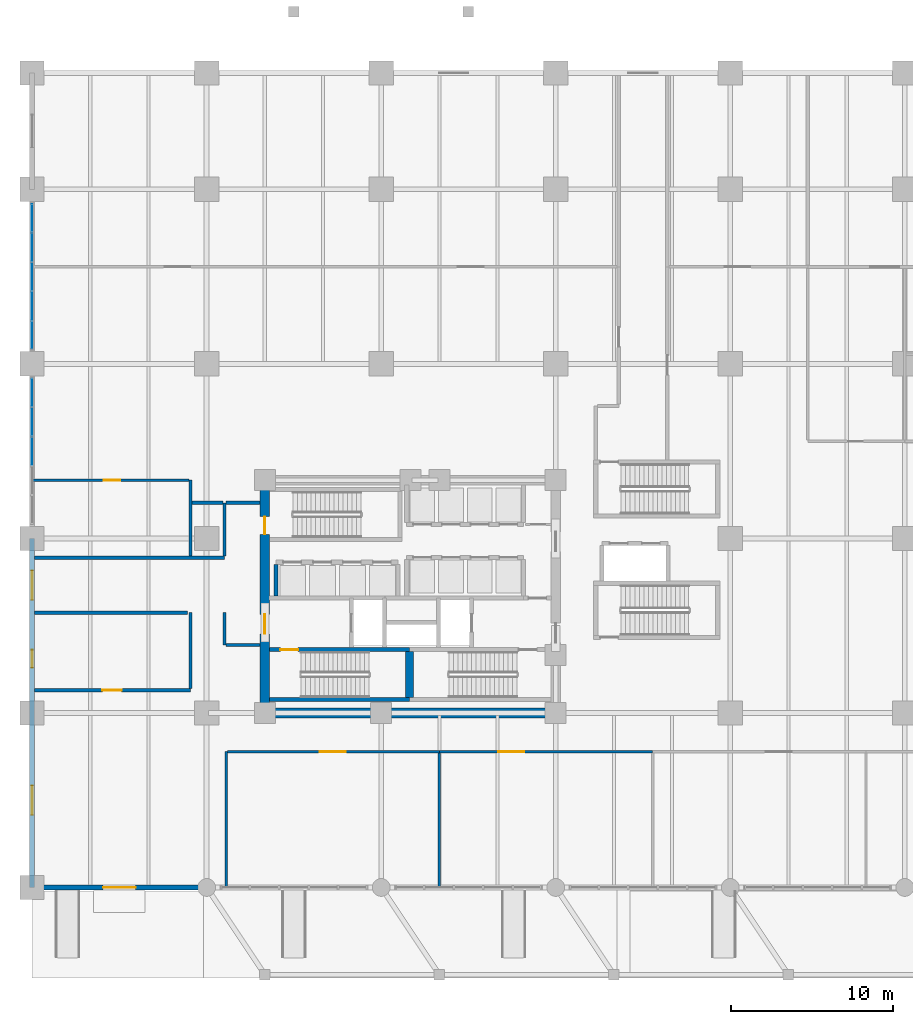
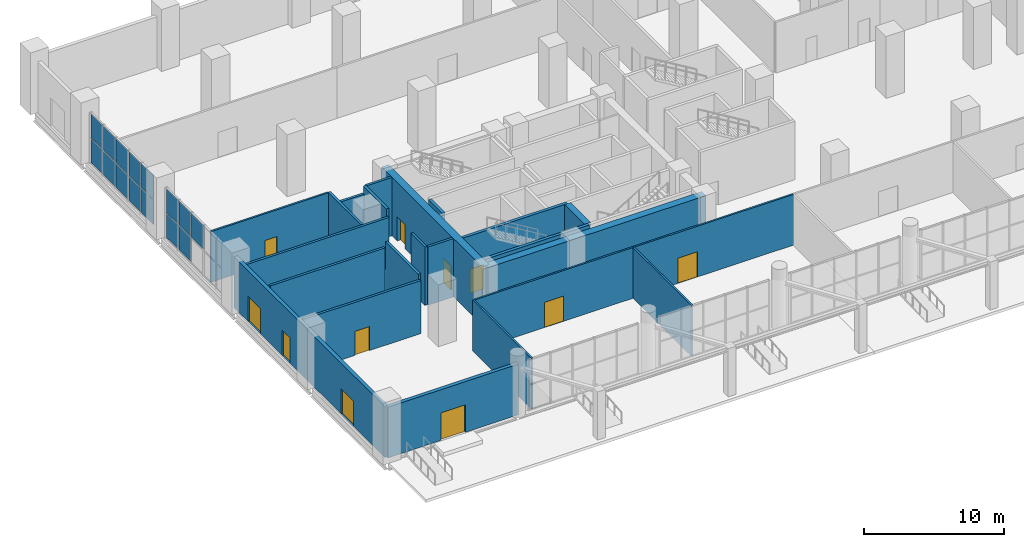
# One storey, part 13 of 22: 23 walls, 15 plates, 11 doors, 11 openings, 2 elements without a shape of their own.
"""IFC4 building model written with IfcOpenShell, lengths in metres."""

from ifc_helpers import new_model, si_unit, direction, frame, frame_2d, origin, origin_2d, place, context, subcontext, project, spatial, rectangle, extrude, material, layer, layer_set, type_object, element, fill, aggregate, save


model = new_model("IFC4")

# Units and contexts
model_context = context("Model", 3, precision=1e-05, world=origin(), true_north=direction((0.0, 1.0)))
body_context = subcontext(model_context, "Body", "Model", "MODEL_VIEW")
ifc_project = project(units=[si_unit("LENGTHUNIT", "METRE"), si_unit("AREAUNIT", "SQUARE_METRE"), si_unit("VOLUMEUNIT", "CUBIC_METRE"), si_unit("PLANEANGLEUNIT", "RADIAN"), si_unit("MASSUNIT", "GRAM", prefix="KILO")], contexts=[model_context])

# Site, building, storey
site_placement = place(None, origin())
site = spatial("IfcSite", under=ifc_project, at=site_placement, CompositionType="ELEMENT")
building_placement = place(site_placement, origin())
building = spatial("IfcBuilding", under=site, at=building_placement, Name="Solnavia Interchange Tower", CompositionType="ELEMENT")
storey_placement = place(building_placement, origin())
storey = spatial("IfcBuildingStorey", under=building, at=storey_placement, Name="L00", CompositionType="ELEMENT", Elevation=0.0)

# Curtain wall, plates
ifc_material_1 = material(Name="Aluminium Alloy 6063-T6", Category="aluminium")
ifc_layer_1 = layer(ifc_material_1, 0.27001953125)
ifc_layer_set_1 = layer_set([ifc_layer_1], Name="Aluminium Alloy 6063-T6")
curtain_wall_type = type_object("IfcCurtainWallType", Name="CurtainWall-Podium-CTW1", PredefinedType="NOTDEFINED", material=ifc_layer_set_1)
curtain_wall_1_placement = place(storey_placement, origin())
curtain_wall_1 = element("IfcCurtainWall", 1, at=curtain_wall_1_placement, inside=storey, type_object=curtain_wall_type, Name="CTW-L00-W21 CTW-1 curtain wall", PredefinedType="NOTDEFINED")
ifc_material_2 = material(Name="Double-Glazed Low-E IGU Glass", Category="glass")
ifc_layer_2 = layer(ifc_material_2, 0.028076171875)
ifc_layer_set_2 = layer_set([ifc_layer_2], Name="Double-Glazed Low-E IGU Glass")
plate_type = type_object("IfcPlateType", Name="CW-Panel-Glazed-28", PredefinedType="CURTAIN_PANEL", material=ifc_layer_set_2)
plate_1_placement = place(storey_placement, frame((0.0, 27.0, 2.25), z_axis=(0.0, 0.0, 1.0), x_axis=(0.0, 1.0, 0.0)))
plate_1 = element("IfcPlate", 2, at=plate_1_placement, type_object=plate_type, Name="CTW-1 panel 3.2", PredefinedType="CURTAIN_PANEL", context=body_context, shape_type="SweptSolid", body=[
    extrude(rectangle(XDim=1.743896484375, YDim=0.028076171875, at=origin_2d()), origin(), (0.0, 0.0, 1.0), 2.110107421875),
])
plate_2_placement = place(storey_placement, frame((0.0, 28.823974609375, 0.06982421875), z_axis=(0.0, 0.0, 1.0), x_axis=(0.0, 1.0, 0.0)))
plate_2 = element("IfcPlate", 3, at=plate_2_placement, type_object=plate_type, Name="CTW-1 panel 4.1", PredefinedType="CURTAIN_PANEL", context=body_context, shape_type="SweptSolid", body=[
    extrude(rectangle(XDim=1.743896484375, YDim=0.028076171875, at=origin_2d()), origin(), (0.0, 0.0, 1.0), 2.110107421875),
])
plate_3_placement = place(storey_placement, frame((0.0, 28.823974609375, 2.25), z_axis=(0.0, 0.0, 1.0), x_axis=(0.0, 1.0, 0.0)))
plate_3 = element("IfcPlate", 4, at=plate_3_placement, type_object=plate_type, Name="CTW-1 panel 4.2", PredefinedType="CURTAIN_PANEL", context=body_context, shape_type="SweptSolid", body=[
    extrude(rectangle(XDim=1.743896484375, YDim=0.028076171875, at=origin_2d()), origin(), (0.0, 0.0, 1.0), 2.110107421875),
])
plate_4_placement = place(storey_placement, frame((0.0, 30.6279296875, 0.06982421875), z_axis=(0.0, 0.0, 1.0), x_axis=(0.0, 1.0, 0.0)))
plate_4 = element("IfcPlate", 5, at=plate_4_placement, type_object=plate_type, Name="CTW-1 panel 5.1", PredefinedType="CURTAIN_PANEL", context=body_context, shape_type="SweptSolid", body=[
    extrude(rectangle(XDim=1.7041015625, YDim=0.028076171875, at=origin_2d()), origin(), (0.0, 0.0, 1.0), 2.110107421875),
])
plate_5_placement = place(storey_placement, frame((0.0, 30.6279296875, 2.25), z_axis=(0.0, 0.0, 1.0), x_axis=(0.0, 1.0, 0.0)))
plate_5 = element("IfcPlate", 6, at=plate_5_placement, type_object=plate_type, Name="CTW-1 panel 5.2", PredefinedType="CURTAIN_PANEL", context=body_context, shape_type="SweptSolid", body=[
    extrude(rectangle(XDim=1.7041015625, YDim=0.028076171875, at=origin_2d()), origin(), (0.0, 0.0, 1.0), 2.110107421875),
])
aggregate(curtain_wall_1, [plate_1, plate_2, plate_3, plate_4, plate_5])

curtain_wall_2_placement = place(storey_placement, origin())
curtain_wall_2 = element("IfcCurtainWall", 7, at=curtain_wall_2_placement, inside=storey, type_object=curtain_wall_type, Name="CTW-L00-W32 CTW-1 curtain wall", PredefinedType="NOTDEFINED")
plate_6_placement = place(storey_placement, frame((0.0, 34.172119140625, 0.06982421875), z_axis=(0.0, 0.0, 1.0), x_axis=(0.0, 1.0, 0.0)))
plate_6 = element("IfcPlate", 8, at=plate_6_placement, type_object=plate_type, Name="CTW-1 panel 1.1", PredefinedType="CURTAIN_PANEL", context=body_context, shape_type="SweptSolid", body=[
    extrude(rectangle(XDim=1.7041015625, YDim=0.028076171875, at=origin_2d()), origin(), (0.0, 0.0, 1.0), 2.110107421875),
])
plate_7_placement = place(storey_placement, frame((0.0, 34.172119140625, 2.25), z_axis=(0.0, 0.0, 1.0), x_axis=(0.0, 1.0, 0.0)))
plate_7 = element("IfcPlate", 9, at=plate_7_placement, type_object=plate_type, Name="CTW-1 panel 1.2", PredefinedType="CURTAIN_PANEL", context=body_context, shape_type="SweptSolid", body=[
    extrude(rectangle(XDim=1.7041015625, YDim=0.028076171875, at=origin_2d()), origin(), (0.0, 0.0, 1.0), 2.110107421875),
])
plate_8_placement = place(storey_placement, frame((0.0, 35.97607421875, 0.06982421875), z_axis=(0.0, 0.0, 1.0), x_axis=(0.0, 1.0, 0.0)))
plate_8 = element("IfcPlate", 10, at=plate_8_placement, type_object=plate_type, Name="CTW-1 panel 2.1", PredefinedType="CURTAIN_PANEL", context=body_context, shape_type="SweptSolid", body=[
    extrude(rectangle(XDim=1.743896484375, YDim=0.028076171875, at=origin_2d()), origin(), (0.0, 0.0, 1.0), 2.110107421875),
])
plate_9_placement = place(storey_placement, frame((0.0, 35.97607421875, 2.25), z_axis=(0.0, 0.0, 1.0), x_axis=(0.0, 1.0, 0.0)))
plate_9 = element("IfcPlate", 11, at=plate_9_placement, type_object=plate_type, Name="CTW-1 panel 2.2", PredefinedType="CURTAIN_PANEL", context=body_context, shape_type="SweptSolid", body=[
    extrude(rectangle(XDim=1.743896484375, YDim=0.028076171875, at=origin_2d()), origin(), (0.0, 0.0, 1.0), 2.110107421875),
])
plate_10_placement = place(storey_placement, frame((0.0, 37.800048828125, 0.06982421875), z_axis=(0.0, 0.0, 1.0), x_axis=(0.0, 1.0, 0.0)))
plate_10 = element("IfcPlate", 12, at=plate_10_placement, type_object=plate_type, Name="CTW-1 panel 3.1", PredefinedType="CURTAIN_PANEL", context=body_context, shape_type="SweptSolid", body=[
    extrude(rectangle(XDim=1.743896484375, YDim=0.028076171875, at=origin_2d()), origin(), (0.0, 0.0, 1.0), 2.110107421875),
])
plate_11_placement = place(storey_placement, frame((0.0, 37.800048828125, 2.25), z_axis=(0.0, 0.0, 1.0), x_axis=(0.0, 1.0, 0.0)))
plate_11 = element("IfcPlate", 13, at=plate_11_placement, type_object=plate_type, Name="CTW-1 panel 3.2", PredefinedType="CURTAIN_PANEL", context=body_context, shape_type="SweptSolid", body=[
    extrude(rectangle(XDim=1.743896484375, YDim=0.028076171875, at=origin_2d()), origin(), (0.0, 0.0, 1.0), 2.110107421875),
])
plate_12_placement = place(storey_placement, frame((0.0, 39.6240234375, 0.06982421875), z_axis=(0.0, 0.0, 1.0), x_axis=(0.0, 1.0, 0.0)))
plate_12 = element("IfcPlate", 14, at=plate_12_placement, type_object=plate_type, Name="CTW-1 panel 4.1", PredefinedType="CURTAIN_PANEL", context=body_context, shape_type="SweptSolid", body=[
    extrude(rectangle(XDim=1.743896484375, YDim=0.028076171875, at=origin_2d()), origin(), (0.0, 0.0, 1.0), 2.110107421875),
])
plate_13_placement = place(storey_placement, frame((0.0, 39.6240234375, 2.25), z_axis=(0.0, 0.0, 1.0), x_axis=(0.0, 1.0, 0.0)))
plate_13 = element("IfcPlate", 15, at=plate_13_placement, type_object=plate_type, Name="CTW-1 panel 4.2", PredefinedType="CURTAIN_PANEL", context=body_context, shape_type="SweptSolid", body=[
    extrude(rectangle(XDim=1.743896484375, YDim=0.028076171875, at=origin_2d()), origin(), (0.0, 0.0, 1.0), 2.110107421875),
])
plate_14_placement = place(storey_placement, frame((0.0, 41.427978515625, 0.06982421875), z_axis=(0.0, 0.0, 1.0), x_axis=(0.0, 1.0, 0.0)))
plate_14 = element("IfcPlate", 16, at=plate_14_placement, type_object=plate_type, Name="CTW-1 panel 5.1", PredefinedType="CURTAIN_PANEL", context=body_context, shape_type="SweptSolid", body=[
    extrude(rectangle(XDim=1.7041015625, YDim=0.028076171875, at=origin_2d()), origin(), (0.0, 0.0, 1.0), 2.110107421875),
])
plate_15_placement = place(storey_placement, frame((0.0, 41.427978515625, 2.25), z_axis=(0.0, 0.0, 1.0), x_axis=(0.0, 1.0, 0.0)))
plate_15 = element("IfcPlate", 17, at=plate_15_placement, type_object=plate_type, Name="CTW-1 panel 5.2", PredefinedType="CURTAIN_PANEL", context=body_context, shape_type="SweptSolid", body=[
    extrude(rectangle(XDim=1.7041015625, YDim=0.028076171875, at=origin_2d()), origin(), (0.0, 0.0, 1.0), 2.110107421875),
])
aggregate(curtain_wall_2, [plate_6, plate_7, plate_8, plate_9, plate_10, plate_11, plate_12, plate_13, plate_14, plate_15])

# Wall, opening, door
ifc_material_3 = material(Name="Concrete C40/50", Category="concrete")
ifc_layer_3 = layer(ifc_material_3, 0.300048828125)
ifc_layer_set_3 = layer_set([ifc_layer_3], Name="Concrete C40/50")
wall_type_1 = type_object("IfcWallType", Name="Wall-ExtSpandrel-300", PredefinedType="STANDARD", material=ifc_layer_set_3)
wall_1_placement = place(storey_placement, frame((10.800048828125, 0.0, 0.0), z_axis=(0.0, 0.0, 1.0), x_axis=(-1.0, 0.0, 0.0)))
wall_1 = element("IfcWall", 18, at=wall_1_placement, inside=storey, type_object=wall_type_1, Name="EXW-L00-SW South-west entrance wall", PredefinedType="STANDARD", context=body_context, shape_type="SweptSolid", body=[
    extrude(rectangle(XDim=10.800048828125, YDim=0.300048828125, at=frame_2d((5.39990234375, 0.0))), origin(), (0.0, 0.0, 1.0), 4.429931640625),
])
opening_1_placement = place(wall_1_placement, frame((4.39990234375, 0.0, 0.0)))
opening_1 = element("IfcOpeningElement", 19, at=opening_1_placement, cuts=wall_1, Name="Opening EXD-01", PredefinedType="OPENING", context=body_context, shape_type="SweptSolid", body=[
    extrude(rectangle(XDim=2.0, YDim=2.39990234375, at=frame_2d((1.0, 1.199951171875))), frame((0.0, 0.16015625, 0.0), z_axis=(0.0, -1.0, 0.0), x_axis=(1.0, 0.0, 0.0)), (0.0, 0.0, 1.0), 0.320068359375),
])
ifc_material_4 = material(Name="Thermally Broken Aluminium & Laminated Glass", Category="aluminium")
door_type_1 = type_object("IfcDoorType", Name="Door-Entrance-2000x2400", OperationType="DOUBLE_DOOR_SINGLE_SWING", PredefinedType="DOOR", material=ifc_material_4)
door_1_placement = place(opening_1_placement, origin())
door_1 = element("IfcDoor", 20, at=door_1_placement, inside=storey, type_object=door_type_1, Name="EXD-L00-MAIN Grand waterfront entrance door", OperationType="SINGLE_SWING_LEFT", OverallHeight=2.39990234375, OverallWidth=2.0, PredefinedType="DOOR", context=body_context, shape_type="SweptSolid", body=[
    extrude(rectangle(XDim=2.0, YDim=2.39990234375, at=frame_2d((1.0, 1.199951171875))), frame((0.0, 0.02490234375, 0.0), z_axis=(0.0, -1.0, 0.0), x_axis=(1.0, 0.0, 0.0)), (0.0, 0.0, 1.0), 0.050048828125),
])
fill(opening_1, door_1)

# Wall, openings, doors
wall_2_placement = place(storey_placement, frame((0.0, 0.0, 0.0), z_axis=(0.0, 0.0, 1.0), x_axis=(0.0, 1.0, 0.0)))
wall_2 = element("IfcWall", 21, at=wall_2_placement, inside=storey, type_object=wall_type_1, Name="EXW-L00-WS West arrival wall", PredefinedType="STANDARD", context=body_context, shape_type="SweptSolid", body=[
    extrude(rectangle(XDim=21.60009765625, YDim=0.300048828125, at=frame_2d((10.800048828125, 0.0))), origin(), (0.0, 0.0, 1.0), 4.429931640625),
])
opening_2_placement = place(wall_2_placement, frame((4.5, 0.0, 0.0)))
opening_2 = element("IfcOpeningElement", 22, at=opening_2_placement, cuts=wall_2, Name="Opening EXD-02", PredefinedType="OPENING", context=body_context, shape_type="SweptSolid", body=[
    extrude(rectangle(XDim=1.800048828125, YDim=2.199951171875, at=frame_2d((0.89990234375, 1.10009765625))), frame((0.0, 0.16015625, 0.0), z_axis=(0.0, -1.0, 0.0), x_axis=(1.0, 0.0, 0.0)), (0.0, 0.0, 1.0), 0.320068359375),
])
opening_3_placement = place(wall_2_placement, frame((13.60009765625, 0.0, 0.0)))
opening_3 = element("IfcOpeningElement", 23, at=opening_3_placement, cuts=wall_2, Name="Opening EXD-03", PredefinedType="OPENING", context=body_context, shape_type="SweptSolid", body=[
    extrude(rectangle(XDim=1.10009765625, YDim=2.199951171875, at=frame_2d((0.550048828125, 1.10009765625))), frame((0.0, 0.16015625, 0.0), z_axis=(0.0, -1.0, 0.0), x_axis=(1.0, 0.0, 0.0)), (0.0, 0.0, 1.0), 0.320068359375),
])
opening_4_placement = place(wall_2_placement, frame((17.800048828125, 0.0, 0.0)))
opening_4 = element("IfcOpeningElement", 24, at=opening_4_placement, cuts=wall_2, Name="Opening EXD-02", PredefinedType="OPENING", context=body_context, shape_type="SweptSolid", body=[
    extrude(rectangle(XDim=1.800048828125, YDim=2.199951171875, at=frame_2d((0.89990234375, 1.10009765625))), frame((0.0, 0.16015625, 0.0), z_axis=(0.0, -1.0, 0.0), x_axis=(1.0, 0.0, 0.0)), (0.0, 0.0, 1.0), 0.320068359375),
])
door_type_2 = type_object("IfcDoorType", Name="Door-ExitDischarge-1800x2200", OperationType="DOUBLE_DOOR_SINGLE_SWING", PredefinedType="DOOR", material=ifc_material_4)
door_2_placement = place(opening_2_placement, origin())
door_2 = element("IfcDoor", 25, at=door_2_placement, inside=storey, type_object=door_type_2, Name="EXD-L00-CONCW West concourse exit discharge door", OperationType="SINGLE_SWING_LEFT", OverallHeight=2.199951171875, OverallWidth=1.800048828125, PredefinedType="DOOR", context=body_context, shape_type="SweptSolid", body=[
    extrude(rectangle(XDim=1.800048828125, YDim=2.199951171875, at=frame_2d((0.89990234375, 1.10009765625))), frame((0.0, 0.02490234375, 0.0), z_axis=(0.0, -1.0, 0.0), x_axis=(1.0, 0.0, 0.0)), (0.0, 0.0, 1.0), 0.050048828125),
])
fill(opening_2, door_2)
door_3_placement = place(opening_4_placement, origin())
door_3 = element("IfcDoor", 26, at=door_3_placement, inside=storey, type_object=door_type_2, Name="EXD-L00-EXITW West protected stair exit discharge door", OperationType="SINGLE_SWING_LEFT", OverallHeight=2.199951171875, OverallWidth=1.800048828125, PredefinedType="DOOR", context=body_context, shape_type="SweptSolid", body=[
    extrude(rectangle(XDim=1.800048828125, YDim=2.199951171875, at=frame_2d((0.89990234375, 1.10009765625))), frame((0.0, 0.02490234375, 0.0), z_axis=(0.0, -1.0, 0.0), x_axis=(1.0, 0.0, 0.0)), (0.0, 0.0, 1.0), 0.050048828125),
])
fill(opening_4, door_3)
door_type_3 = type_object("IfcDoorType", Name="Door-ExitSingle-1100x2200", OperationType="SINGLE_SWING_LEFT", PredefinedType="DOOR", material=ifc_material_4)
door_4_placement = place(opening_3_placement, origin())
door_4 = element("IfcDoor", 27, at=door_4_placement, inside=storey, type_object=door_type_3, Name="EXD-L00-FCC Fire command direct street access door", OperationType="SINGLE_SWING_LEFT", OverallHeight=2.199951171875, OverallWidth=1.10009765625, PredefinedType="DOOR", context=body_context, shape_type="SweptSolid", body=[
    extrude(rectangle(XDim=1.10009765625, YDim=2.199951171875, at=frame_2d((0.550048828125, 1.10009765625))), frame((0.0, 0.02490234375, 0.0), z_axis=(0.0, -1.0, 0.0), x_axis=(1.0, 0.0, 0.0)), (0.0, 0.0, 1.0), 0.050048828125),
])
fill(opening_3, door_4)

# Wall
ifc_material_5 = material(Name="Gypsum Plasterboard & Steel Stud", Category="steel")
ifc_layer_4 = layer(ifc_material_5, 0.14990234375)
ifc_layer_set_4 = layer_set([ifc_layer_4], Name="Gypsum Plasterboard & Steel Stud")
wall_type_2 = type_object("IfcWallType", Name="Wall-Partition-150", PredefinedType="PARTITIONING", material=ifc_layer_set_4)
wall_3_placement = place(storey_placement, frame((12.0, 0.0, 0.0), z_axis=(0.0, 0.0, 1.0), x_axis=(0.0, 1.0, 0.0)))
element("IfcWall", 28, at=wall_3_placement, inside=storey, type_object=wall_type_2, Name="PTW-L00-01 Interior partition wall", PredefinedType="PARTITIONING", context=body_context, shape_type="SweptSolid", body=[
    extrude(rectangle(XDim=8.39990234375, YDim=0.14990234375, at=frame_2d((4.199951171875, 0.0))), origin(), (0.0, 0.0, 1.0), 4.429931640625),
])

# Wall, opening, door
wall_4_placement = place(storey_placement, frame((12.0791015625, 8.39990234375, 0.0), z_axis=(0.0, 0.0, 1.0), x_axis=(1.0, 0.0, 0.0)))
wall_4 = element("IfcWall", 29, at=wall_4_placement, inside=storey, type_object=wall_type_2, Name="PTW-L00-02 Interior partition wall", PredefinedType="PARTITIONING", context=body_context, shape_type="SweptSolid", body=[
    extrude(rectangle(XDim=13.120849609375, YDim=0.14990234375, at=frame_2d((6.560546875, 0.0))), origin(), (0.0, 0.0, 1.0), 4.429931640625),
])
opening_5_placement = place(wall_4_placement, frame((5.720947265625, 0.0, 0.0)))
opening_5 = element("IfcOpeningElement", 30, at=opening_5_placement, cuts=wall_4, Name="Opening DR-08", PredefinedType="OPENING", context=body_context, shape_type="SweptSolid", body=[
    extrude(rectangle(XDim=1.60009765625, YDim=2.199951171875, at=frame_2d((0.800048828125, 1.10009765625))), frame((0.0, 0.0849609375, 0.0), z_axis=(0.0, -1.0, 0.0), x_axis=(1.0, 0.0, 0.0)), (0.0, 0.0, 1.0), 0.169921875),
])
ifc_material_6 = material(Name="Thermally Broken Aluminium & Toughened Glass", Category="aluminium")
door_type_4 = type_object("IfcDoorType", Name="Door-RetailDouble-1600x2200", OperationType="DOUBLE_DOOR_SINGLE_SWING", PredefinedType="DOOR", material=ifc_material_6)
door_5_placement = place(opening_5_placement, origin())
door_5 = element("IfcDoor", 31, at=door_5_placement, inside=storey, type_object=door_type_4, Name="DR-L00-01 Interior room door", OperationType="DOUBLE_DOOR_SINGLE_SWING", OverallHeight=2.199951171875, OverallWidth=1.60009765625, PredefinedType="DOOR", context=body_context, shape_type="SweptSolid", body=[
    extrude(rectangle(XDim=1.60009765625, YDim=2.199951171875, at=frame_2d((0.800048828125, 1.10009765625))), frame((0.0, 0.02490234375, 0.0), z_axis=(0.0, -1.0, 0.0), x_axis=(1.0, 0.0, 0.0)), (0.0, 0.0, 1.0), 0.050048828125),
])
fill(opening_5, door_5)

# Wall
wall_5_placement = place(storey_placement, frame((25.199951171875, 0.0, 0.0), z_axis=(0.0, 0.0, 1.0), x_axis=(0.0, 1.0, 0.0)))
element("IfcWall", 32, at=wall_5_placement, inside=storey, type_object=wall_type_2, Name="PTW-L00-03 Interior partition wall", PredefinedType="PARTITIONING", context=body_context, shape_type="SweptSolid", body=[
    extrude(rectangle(XDim=8.321044921875, YDim=0.14990234375, at=frame_2d((4.16064453125, 0.0))), origin(), (0.0, 0.0, 1.0), 4.429931640625),
])

# Wall, opening, door
wall_6_placement = place(storey_placement, frame((25.199951171875, 8.39990234375, 0.0), z_axis=(0.0, 0.0, 1.0), x_axis=(1.0, 0.0, 0.0)))
wall_6 = element("IfcWall", 33, at=wall_6_placement, inside=storey, type_object=wall_type_2, Name="PTW-L00-04 Interior partition wall", PredefinedType="PARTITIONING", context=body_context, shape_type="SweptSolid", body=[
    extrude(rectangle(XDim=13.199951171875, YDim=0.14990234375, at=frame_2d((6.60009765625, 0.0))), origin(), (0.0, 0.0, 1.0), 4.429931640625),
])
opening_6_placement = place(wall_6_placement, frame((3.64794921875, 0.0, 0.0)))
opening_6 = element("IfcOpeningElement", 34, at=opening_6_placement, cuts=wall_6, Name="Opening DR-08", PredefinedType="OPENING", context=body_context, shape_type="SweptSolid", body=[
    extrude(rectangle(XDim=1.60009765625, YDim=2.199951171875, at=frame_2d((0.800048828125, 1.10009765625))), frame((0.0, 0.0849609375, 0.0), z_axis=(0.0, -1.0, 0.0), x_axis=(1.0, 0.0, 0.0)), (0.0, 0.0, 1.0), 0.169921875),
])
door_6_placement = place(opening_6_placement, origin())
door_6 = element("IfcDoor", 35, at=door_6_placement, inside=storey, type_object=door_type_4, Name="DR-L00-02 Interior room door", OperationType="DOUBLE_DOOR_SINGLE_SWING", OverallHeight=2.199951171875, OverallWidth=1.60009765625, PredefinedType="DOOR", context=body_context, shape_type="SweptSolid", body=[
    extrude(rectangle(XDim=1.60009765625, YDim=2.199951171875, at=frame_2d((0.800048828125, 1.10009765625))), frame((0.0, 0.02490234375, 0.0), z_axis=(0.0, -1.0, 0.0), x_axis=(1.0, 0.0, 0.0)), (0.0, 0.0, 1.0), 0.050048828125),
])
fill(opening_6, door_6)

wall_7_placement = place(storey_placement, frame((0.0, 25.199951171875, 0.0), z_axis=(0.0, 0.0, 1.0), x_axis=(1.0, 0.0, 0.0)))
wall_7 = element("IfcWall", 36, at=wall_7_placement, inside=storey, type_object=wall_type_2, Name="PTW-L00-21 Interior partition wall", PredefinedType="PARTITIONING", context=body_context, shape_type="SweptSolid", body=[
    extrude(rectangle(XDim=9.696044921875, YDim=0.14990234375, at=frame_2d((4.84814453125, 0.0))), origin(), (0.0, 0.0, 1.0), 4.429931640625),
])
opening_7_placement = place(wall_7_placement, frame((4.43994140625, 0.0, 0.0)))
opening_7 = element("IfcOpeningElement", 37, at=opening_7_placement, cuts=wall_7, Name="Opening DR-07", PredefinedType="OPENING", context=body_context, shape_type="SweptSolid", body=[
    extrude(rectangle(XDim=1.0, YDim=2.10009765625, at=frame_2d((0.5, 1.050048828125))), frame((0.0, 0.0849609375, 0.0), z_axis=(0.0, -1.0, 0.0), x_axis=(1.0, 0.0, 0.0)), (0.0, 0.0, 1.0), 0.169921875),
])
ifc_material_7 = material(Name="Timber & Acoustic Glazed Office Door", Category="wood")
door_type_5 = type_object("IfcDoorType", Name="Door-Office-1000x2100", OperationType="SINGLE_SWING_RIGHT", PredefinedType="DOOR", material=ifc_material_7)
door_7_placement = place(opening_7_placement, origin())
door_7 = element("IfcDoor", 38, at=door_7_placement, inside=storey, type_object=door_type_5, Name="DR-L00-07 Interior room door", OperationType="SINGLE_SWING_LEFT", OverallHeight=2.10009765625, OverallWidth=1.0, PredefinedType="DOOR", context=body_context, shape_type="SweptSolid", body=[
    extrude(rectangle(XDim=1.0, YDim=2.10009765625, at=frame_2d((0.5, 1.050048828125))), frame((0.0, 0.02490234375, 0.0), z_axis=(0.0, -1.0, 0.0), x_axis=(1.0, 0.0, 0.0)), (0.0, 0.0, 1.0), 0.050048828125),
])
fill(opening_7, door_7)

ifc_layer_5 = layer(ifc_material_3, 0.199951171875)
ifc_layer_set_5 = layer_set([ifc_layer_5], Name="Concrete C40/50")
wall_type_3 = type_object("IfcWallType", Name="Wall-PlantFire-200", PredefinedType="PARTITIONING", material=ifc_layer_set_5)
wall_8_placement = place(storey_placement, frame((0.154052734375, 12.199951171875, 0.0), z_axis=(0.0, 0.0, 1.0), x_axis=(1.0, 0.0, 0.0)))
wall_8 = element("IfcWall", 39, at=wall_8_placement, inside=storey, type_object=wall_type_3, Name="PTW-L00-11 Interior partition wall", PredefinedType="PARTITIONING", context=body_context, shape_type="SweptSolid", body=[
    extrude(rectangle(XDim=9.64599609375, YDim=0.199951171875, at=frame_2d((4.822998046875, 0.0))), origin(), (0.0, 0.0, 1.0), 4.6298828125),
])
opening_8_placement = place(wall_8_placement, frame((4.18603515625, 0.0, 0.0)))
opening_8 = element("IfcOpeningElement", 40, at=opening_8_placement, cuts=wall_8, Name="Opening DR-02", PredefinedType="OPENING", context=body_context, shape_type="SweptSolid", body=[
    extrude(rectangle(XDim=1.199951171875, YDim=2.10009765625, at=frame_2d((0.60009765625, 1.050048828125))), frame((0.0, 0.10986328125, 0.0), z_axis=(0.0, -1.0, 0.0), x_axis=(1.0, 0.0, 0.0)), (0.0, 0.0, 1.0), 0.219970703125),
])
ifc_material_8 = material(Name="Steel Fire-Rated Vision-Panel Door", Category="steel")
door_type_6 = type_object("IfcDoorType", Name="Door-LobbyFire-1200x2100", OperationType="SINGLE_SWING_RIGHT", PredefinedType="DOOR", material=ifc_material_8)
door_8_placement = place(opening_8_placement, origin())
door_8 = element("IfcDoor", 41, at=door_8_placement, inside=storey, type_object=door_type_6, Name="DR-L00-06 Interior room door", OperationType="SINGLE_SWING_RIGHT", OverallHeight=2.10009765625, OverallWidth=1.199951171875, PredefinedType="DOOR", context=body_context, shape_type="SweptSolid", body=[
    extrude(rectangle(XDim=1.199951171875, YDim=2.10009765625, at=frame_2d((0.60009765625, 1.050048828125))), frame((0.0, 0.02490234375, 0.0), z_axis=(0.0, -1.0, 0.0), x_axis=(1.0, 0.0, 0.0)), (0.0, 0.0, 1.0), 0.050048828125),
])
fill(opening_8, door_8)

# Walls
wall_9_placement = place(storey_placement, frame((9.800048828125, 12.303955078125, 0.0), z_axis=(0.0, 0.0, 1.0), x_axis=(0.0, 1.0, 0.0)))
element("IfcWall", 42, at=wall_9_placement, inside=storey, type_object=wall_type_3, Name="PTW-L00-12 Interior partition wall", PredefinedType="PARTITIONING", context=body_context, shape_type="SweptSolid", body=[
    extrude(rectangle(XDim=4.696044921875, YDim=0.199951171875, at=frame_2d((2.34814453125, 0.0))), origin(), (0.0, 0.0, 1.0), 5.0849609375),
])
wall_10_placement = place(storey_placement, frame((0.154052734375, 17.0, 0.0), z_axis=(0.0, 0.0, 1.0), x_axis=(1.0, 0.0, 0.0)))
element("IfcWall", 43, at=wall_10_placement, inside=storey, type_object=wall_type_3, Name="PTW-L00-13 Interior partition wall", PredefinedType="PARTITIONING", context=body_context, shape_type="SweptSolid", body=[
    extrude(rectangle(XDim=9.466064453125, YDim=0.199951171875, at=frame_2d((4.73291015625, 0.0))), origin(), (0.0, 0.0, 1.0), 4.6298828125),
])
wall_11_placement = place(storey_placement, frame((11.89990234375, 15.0, 0.0), z_axis=(0.0, 0.0, 1.0), x_axis=(0.0, 1.0, 0.0)))
element("IfcWall", 44, at=wall_11_placement, inside=storey, type_object=wall_type_3, Name="PTW-L00-14 Interior partition wall", PredefinedType="PARTITIONING", context=body_context, shape_type="SweptSolid", body=[
    extrude(rectangle(XDim=2.0, YDim=0.199951171875, at=frame_2d((1.0, 0.0))), origin(), (0.0, 0.0, 1.0), 5.0849609375),
])
wall_12_placement = place(storey_placement, frame((12.00390625, 15.0, 0.0), z_axis=(0.0, 0.0, 1.0), x_axis=(1.0, 0.0, 0.0)))
element("IfcWall", 45, at=wall_12_placement, inside=storey, type_object=wall_type_3, Name="PTW-L00-15 Interior partition wall", PredefinedType="PARTITIONING", context=body_context, shape_type="SweptSolid", body=[
    extrude(rectangle(XDim=2.092041015625, YDim=0.199951171875, at=frame_2d((1.0458984375, 0.0))), origin(), (0.0, 0.0, 1.0), 5.0849609375),
])
wall_13_placement = place(storey_placement, frame((0.154052734375, 20.39990234375, 0.0), z_axis=(0.0, 0.0, 1.0), x_axis=(1.0, 0.0, 0.0)))
element("IfcWall", 46, at=wall_13_placement, inside=storey, type_object=wall_type_3, Name="PTW-L00-16 Interior partition wall", PredefinedType="PARTITIONING", context=body_context, shape_type="SweptSolid", body=[
    extrude(rectangle(XDim=11.745849609375, YDim=0.199951171875, at=frame_2d((5.873046875, 0.0))), origin(), (0.0, 0.0, 1.0), 4.429931640625),
])
wall_14_placement = place(storey_placement, frame((9.800048828125, 20.50390625, 0.0), z_axis=(0.0, 0.0, 1.0), x_axis=(0.0, 1.0, 0.0)))
element("IfcWall", 47, at=wall_14_placement, inside=storey, type_object=wall_type_3, Name="PTW-L00-17 Interior partition wall", PredefinedType="PARTITIONING", context=body_context, shape_type="SweptSolid", body=[
    extrude(rectangle(XDim=4.696044921875, YDim=0.199951171875, at=frame_2d((2.34814453125, 0.0))), origin(), (0.0, 0.0, 1.0), 4.429931640625),
])
wall_15_placement = place(storey_placement, frame((11.89990234375, 20.50390625, 0.0), z_axis=(0.0, 0.0, 1.0), x_axis=(0.0, 1.0, 0.0)))
element("IfcWall", 48, at=wall_15_placement, inside=storey, type_object=wall_type_3, Name="PTW-L00-18 Interior partition wall", PredefinedType="PARTITIONING", context=body_context, shape_type="SweptSolid", body=[
    extrude(rectangle(XDim=3.296142578125, YDim=0.199951171875, at=frame_2d((1.64794921875, 0.0))), origin(), (0.0, 0.0, 1.0), 5.0849609375),
])
wall_16_placement = place(storey_placement, frame((9.904052734375, 23.800048828125, 0.0), z_axis=(0.0, 0.0, 1.0), x_axis=(1.0, 0.0, 0.0)))
element("IfcWall", 49, at=wall_16_placement, inside=storey, type_object=wall_type_3, Name="PTW-L00-19 Interior partition wall", PredefinedType="PARTITIONING", context=body_context, shape_type="SweptSolid", body=[
    extrude(rectangle(XDim=1.891845703125, YDim=0.199951171875, at=frame_2d((0.94580078125, 0.0))), origin(), (0.0, 0.0, 1.0), 4.429931640625),
])
wall_17_placement = place(storey_placement, frame((12.00390625, 23.800048828125, 0.0), z_axis=(0.0, 0.0, 1.0), x_axis=(1.0, 0.0, 0.0)))
element("IfcWall", 50, at=wall_17_placement, inside=storey, type_object=wall_type_3, Name="PTW-L00-20 Interior partition wall", PredefinedType="PARTITIONING", context=body_context, shape_type="SweptSolid", body=[
    extrude(rectangle(XDim=2.092041015625, YDim=0.199951171875, at=frame_2d((1.0458984375, 0.0))), origin(), (0.0, 0.0, 1.0), 5.0849609375),
])
ifc_layer_6 = layer(ifc_material_3, 0.25)
ifc_layer_set_6 = layer_set([ifc_layer_6], Name="Concrete C40/50")
wall_type_4 = type_object("IfcWallType", Name="Wall-ShaftCore-250", PredefinedType="SHEAR", material=ifc_layer_set_6)
wall_18_placement = place(storey_placement, frame((14.699951171875, 11.625, 0.0), z_axis=(0.0, 0.0, 1.0), x_axis=(1.0, 0.0, 0.0)))
element("IfcWall", 51, at=wall_18_placement, inside=storey, type_object=wall_type_4, Name="SHW-L00-ST1S Core shear wall", PredefinedType="SHEAR", context=body_context, shape_type="SweptSolid", body=[
    extrude(rectangle(XDim=8.650146484375, YDim=0.25, at=frame_2d((4.3251953125, 0.0))), origin(), (0.0, 0.0, 1.0), 5.10009765625),
])

# Wall, opening, door
wall_19_placement = place(storey_placement, frame((14.699951171875, 14.715087890625, 0.0), z_axis=(0.0, 0.0, 1.0), x_axis=(1.0, 0.0, 0.0)))
wall_19 = element("IfcWall", 52, at=wall_19_placement, inside=storey, type_object=wall_type_4, Name="SHW-L00-ST1N Core shear wall", PredefinedType="SHEAR", context=body_context, shape_type="SweptSolid", body=[
    extrude(rectangle(XDim=8.650146484375, YDim=0.25, at=frame_2d((4.3251953125, 0.0))), origin(), (0.0, 0.0, 1.0), 5.10009765625),
])
opening_9_placement = place(wall_19_placement, frame((0.655029296875, 0.0, 0.0)))
opening_9 = element("IfcOpeningElement", 53, at=opening_9_placement, cuts=wall_19, Name="Opening DR-01", PredefinedType="OPENING", context=body_context, shape_type="SweptSolid", body=[
    extrude(rectangle(XDim=1.10009765625, YDim=2.10009765625, at=frame_2d((0.550048828125, 1.050048828125))), frame((0.0, 0.135009765625, 0.0), z_axis=(0.0, -1.0, 0.0), x_axis=(1.0, 0.0, 0.0)), (0.0, 0.0, 1.0), 0.27001953125),
])
ifc_material_9 = material(Name="Steel Fire-Rated Leaf & Frame", Category="steel")
door_type_7 = type_object("IfcDoorType", Name="Door-StairFire-1100x2100", OperationType="SINGLE_SWING_LEFT", PredefinedType="DOOR", material=ifc_material_9)
door_9_placement = place(opening_9_placement, origin())
door_9 = element("IfcDoor", 54, at=door_9_placement, inside=storey, type_object=door_type_7, Name="DR-L00-ST1 Core fire door", OperationType="SINGLE_SWING_LEFT", OverallHeight=2.10009765625, OverallWidth=1.10009765625, PredefinedType="DOOR", context=body_context, shape_type="SweptSolid", body=[
    extrude(rectangle(XDim=1.10009765625, YDim=2.10009765625, at=frame_2d((0.550048828125, 1.050048828125))), frame((0.0, 0.02490234375, 0.0), z_axis=(0.0, -1.0, 0.0), x_axis=(1.0, 0.0, 0.0)), (0.0, 0.0, 1.0), 0.050048828125),
])
fill(opening_9, door_9)

# Walls
ifc_layer_7 = layer(ifc_material_3, 0.25)
ifc_layer_set_7 = layer_set([ifc_layer_7], Name="Concrete C40/50")
wall_type_5 = type_object("IfcWallType", Name="Wall-ShaftPart-250", PredefinedType="PARTITIONING", material=ifc_layer_set_7)
wall_20_placement = place(storey_placement, frame((15.10009765625, 18.02490234375, 0.0), z_axis=(0.0, 0.0, 1.0), x_axis=(0.0, 1.0, 0.0)))
element("IfcWall", 55, at=wall_20_placement, inside=storey, type_object=wall_type_5, Name="SHW-L00-B1W Core shaft wall", PredefinedType="PARTITIONING", context=body_context, shape_type="SweptSolid", body=[
    extrude(rectangle(XDim=1.97509765625, YDim=0.25, at=frame_2d((0.987548828125, 0.0))), origin(), (0.0, 0.0, 1.0), 5.0849609375),
])
ifc_material_10 = material(Name="Concrete C60/75", Category="concrete")
ifc_layer_8 = layer(ifc_material_10, 0.5)
ifc_layer_set_8 = layer_set([ifc_layer_8], Name="Concrete C60/75")
wall_type_6 = type_object("IfcWallType", Name="Wall-ShearCore-500", PredefinedType="SHEAR", material=ifc_layer_set_8)
wall_21_placement = place(storey_placement, frame((23.35009765625, 11.75, 0.0), z_axis=(0.0, 0.0, 1.0), x_axis=(0.0, 1.0, 0.0)))
element("IfcWall", 56, at=wall_21_placement, inside=storey, type_object=wall_type_6, Name="SHW-L00-ST12M Core shear wall", PredefinedType="SHEAR", context=body_context, shape_type="SweptSolid", body=[
    extrude(rectangle(XDim=2.840087890625, YDim=0.5, at=frame_2d((1.419921875, 0.0))), origin(), (0.0, 0.0, 1.0), 5.10009765625),
])
ifc_layer_9 = layer(ifc_material_10, 0.60009765625)
ifc_layer_set_9 = layer_set([ifc_layer_9], Name="Concrete C60/75")
wall_type_7 = type_object("IfcWallType", Name="Wall-ShearCore-600", PredefinedType="SHEAR", material=ifc_layer_set_9)
wall_22_placement = place(storey_placement, frame((14.39990234375, 10.800048828125, 0.0), z_axis=(0.0, 0.0, 1.0), x_axis=(1.0, 0.0, 0.0)))
element("IfcWall", 57, at=wall_22_placement, inside=storey, type_object=wall_type_7, Name="CRW-L00-S Core shear wall", PredefinedType="SHEAR", context=body_context, shape_type="SweptSolid", body=[
    extrude(rectangle(XDim=18.0, YDim=0.60009765625, at=frame_2d((9.0, 0.0))), origin(), (0.0, 0.0, 1.0), 5.10009765625),
])

# Wall, openings, doors
wall_23_placement = place(storey_placement, frame((14.39990234375, 10.800048828125, 0.0), z_axis=(0.0, 0.0, 1.0), x_axis=(0.0, 1.0, 0.0)))
wall_23 = element("IfcWall", 58, at=wall_23_placement, inside=storey, type_object=wall_type_7, Name="CRW-L00-W Core shear wall", PredefinedType="SHEAR", context=body_context, shape_type="SweptSolid", body=[
    extrude(rectangle(XDim=14.39990234375, YDim=0.60009765625, at=frame_2d((7.199951171875, 0.0))), origin(), (0.0, 0.0, 1.0), 5.10009765625),
])
opening_10_placement = place(wall_23_placement, frame((11.050048828125, 0.0, 0.0)))
opening_10 = element("IfcOpeningElement", 59, at=opening_10_placement, cuts=wall_23, Name="Opening DR-01", PredefinedType="OPENING", context=body_context, shape_type="SweptSolid", body=[
    extrude(rectangle(XDim=1.10009765625, YDim=2.10009765625, at=frame_2d((0.550048828125, 1.050048828125))), frame((0.0, 0.31005859375, 0.0), z_axis=(0.0, -1.0, 0.0), x_axis=(1.0, 0.0, 0.0)), (0.0, 0.0, 1.0), 0.6201171875),
])
opening_11_placement = place(wall_23_placement, frame((4.89990234375, 0.0, 0.0)))
opening_11 = element("IfcOpeningElement", 60, at=opening_11_placement, cuts=wall_23, Name="Opening DR-02", PredefinedType="OPENING", context=body_context, shape_type="SweptSolid", body=[
    extrude(rectangle(XDim=1.199951171875, YDim=2.10009765625, at=frame_2d((0.60009765625, 1.050048828125))), frame((0.0, 0.31005859375, 0.0), z_axis=(0.0, -1.0, 0.0), x_axis=(1.0, 0.0, 0.0)), (0.0, 0.0, 1.0), 0.6201171875),
])
door_10_placement = place(opening_11_placement, origin())
door_10 = element("IfcDoor", 61, at=door_10_placement, inside=storey, type_object=door_type_6, Name="DR-L00-FFL1W Core fire door", OperationType="SINGLE_SWING_RIGHT", OverallHeight=2.10009765625, OverallWidth=1.199951171875, PredefinedType="DOOR", context=body_context, shape_type="SweptSolid", body=[
    extrude(rectangle(XDim=1.199951171875, YDim=2.10009765625, at=frame_2d((0.60009765625, 1.050048828125))), frame((0.0, 0.02490234375, 0.0), z_axis=(0.0, -1.0, 0.0), x_axis=(1.0, 0.0, 0.0)), (0.0, 0.0, 1.0), 0.050048828125),
])
fill(opening_11, door_10)
door_11_placement = place(opening_10_placement, origin())
door_11 = element("IfcDoor", 62, at=door_11_placement, inside=storey, type_object=door_type_7, Name="DR-L00-ST3 Core fire door", OperationType="SINGLE_SWING_RIGHT", OverallHeight=2.10009765625, OverallWidth=1.10009765625, PredefinedType="DOOR", context=body_context, shape_type="SweptSolid", body=[
    extrude(rectangle(XDim=1.10009765625, YDim=2.10009765625, at=frame_2d((0.550048828125, 1.050048828125))), frame((0.0, 0.02490234375, 0.0), z_axis=(0.0, -1.0, 0.0), x_axis=(1.0, 0.0, 0.0)), (0.0, 0.0, 1.0), 0.050048828125),
])
fill(opening_10, door_11)

save(model, "model.ifc")
